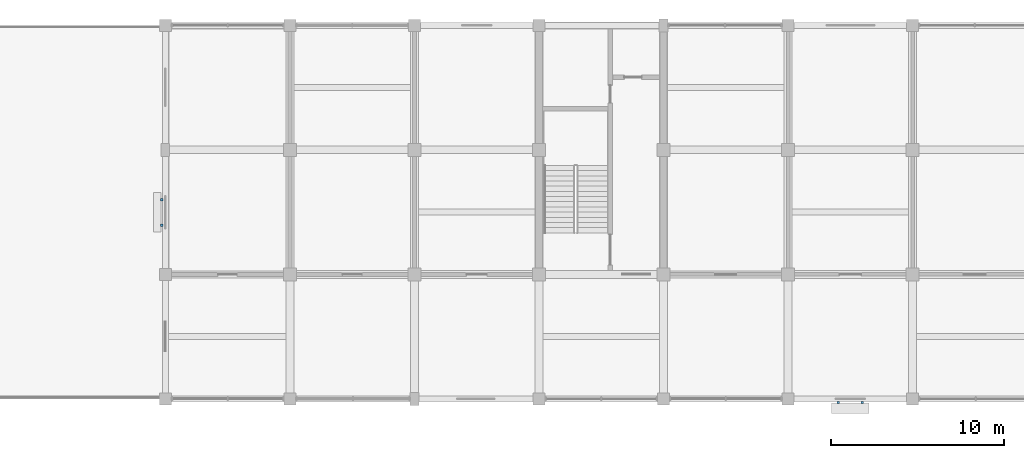
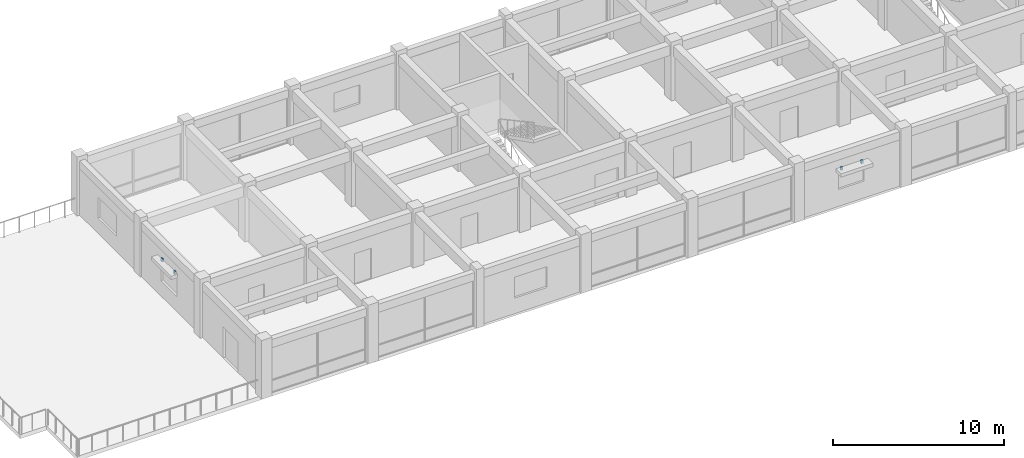
# One storey, part 26 of 31: 4 discrete accessories.
"""IFC4 building model written with IfcOpenShell, lengths in metres."""

from ifc_helpers import new_model, si_unit, direction, frame, origin, origin_2d, place, context, subcontext, project, spatial, rectangle, extrude, material, type_object, element, save


model = new_model("IFC4")

# Units and contexts
model_context = context("Model", 3, precision=1e-05, world=origin(), true_north=direction((0.0, 1.0)))
body_context = subcontext(model_context, "Body", "Model", "MODEL_VIEW")
ifc_project = project(units=[si_unit("LENGTHUNIT", "METRE"), si_unit("AREAUNIT", "SQUARE_METRE"), si_unit("VOLUMEUNIT", "CUBIC_METRE"), si_unit("PLANEANGLEUNIT", "RADIAN"), si_unit("MASSUNIT", "GRAM", prefix="KILO")], contexts=[model_context])

# Site, building, storey
site_placement = place(None, origin())
site = spatial("IfcSite", under=ifc_project, at=site_placement, CompositionType="ELEMENT")
building_placement = place(site_placement, origin())
building = spatial("IfcBuilding", under=site, at=building_placement, Name="Cendaluz Park School", CompositionType="ELEMENT")
storey_placement = place(building_placement, frame((0.0, 0.0, 14.39990234375)))
storey = spatial("IfcBuildingStorey", under=building, at=storey_placement, Name="L03", CompositionType="ELEMENT", Elevation=14.39990234375)

# Discrete accessories
ifc_material = material(Name="Steel S355", Category="steel")
discrete_accessory_type = type_object("IfcDiscreteAccessoryType", Name="BK-01", PredefinedType="BRACKET", material=ifc_material)
for number, where, z_axis, x_axis, name in (
    (1, (14.18994140625, 17.25146484375, 2.6298828125), (0.0, 0.0, 1.0), (0.0, 1.0, 0.0), "BK-L03-107"),
    (2, (14.18994140625, 18.723388671875, 2.6298828125), (0.0, 0.0, 1.0), (0.0, 1.0, 0.0), "BK-L03-108"),
    (3, (53.31201171875, 6.989990234375, 2.580078125), (0.0, 0.0, 1.0), (1.0, 0.0, 0.0), "BK-L03-109"),
    (4, (54.68798828125, 6.989990234375, 2.580078125), (0.0, 0.0, 1.0), (1.0, 0.0, 0.0), "BK-L03-110"),
):
    element("IfcDiscreteAccessory", number, at=place(storey_placement, frame(where, z_axis=z_axis, x_axis=x_axis)), inside=storey, type_object=discrete_accessory_type, Name=name, PredefinedType="BRACKET", context=body_context, shape_type="SweptSolid", body=[
        extrude(rectangle(XDim=0.139892578125, YDim=0.139892578125, at=origin_2d()), origin(), (0.0, 0.0, 1.0), 0.219970703125),
    ])

save(model, "model.ifc")
